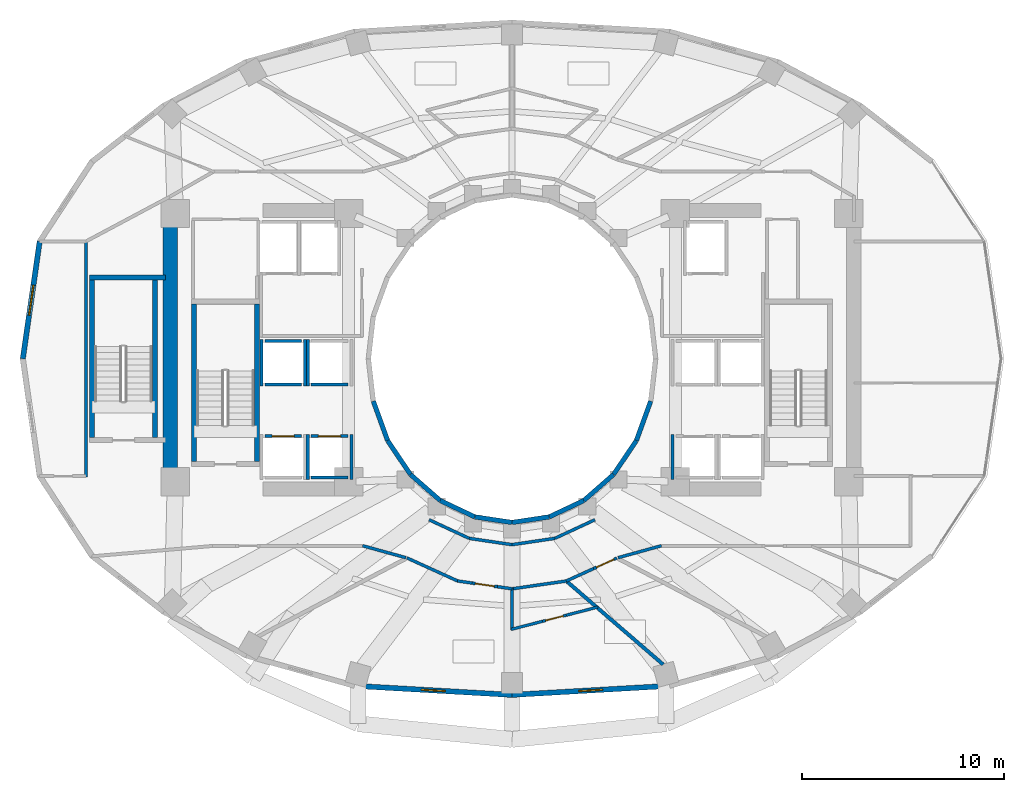
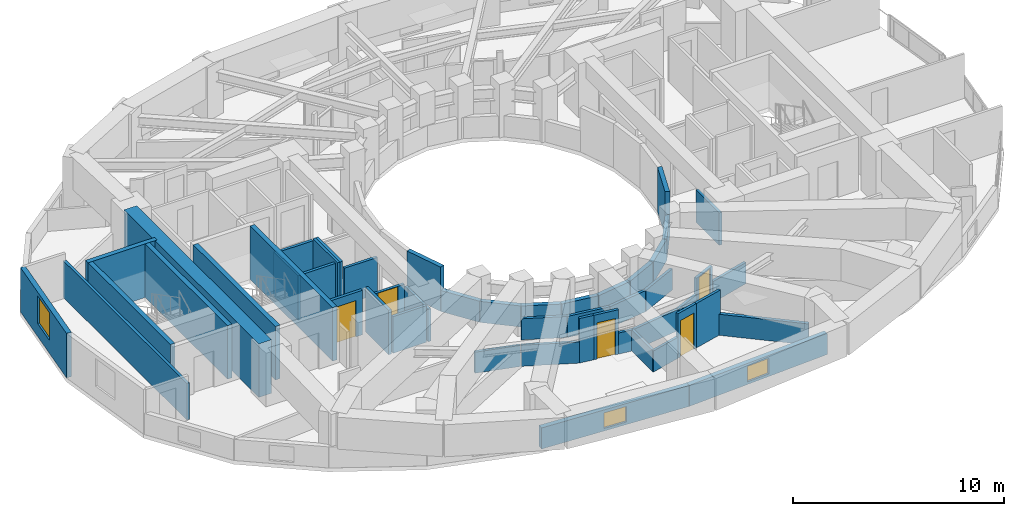
# One storey, part 7 of 14: 50 walls, 5 doors, 3 windows, 8 openings.
"""IFC4 building model written with IfcOpenShell, lengths in metres."""

from ifc_helpers import new_model, si_unit, direction, frame, frame_2d, origin, place, context, subcontext, project, spatial, rectangle, extrude, material, layer, layer_set, type_object, element, fill, save


model = new_model("IFC4")

# Units and contexts
model_context = context("Model", 3, precision=1e-05, world=origin(), true_north=direction((0.0, 1.0)))
body_context = subcontext(model_context, "Body", "Model", "MODEL_VIEW")
ifc_project = project(units=[si_unit("LENGTHUNIT", "METRE"), si_unit("AREAUNIT", "SQUARE_METRE"), si_unit("VOLUMEUNIT", "CUBIC_METRE"), si_unit("PLANEANGLEUNIT", "RADIAN"), si_unit("MASSUNIT", "GRAM", prefix="KILO")], contexts=[model_context])

# Site, building, storey
site_placement = place(None, origin())
site = spatial("IfcSite", under=ifc_project, at=site_placement, CompositionType="ELEMENT")
building_placement = place(site_placement, origin())
building = spatial("IfcBuilding", under=site, at=building_placement, Name="Solvane Sanctuary Tower", CompositionType="ELEMENT")
storey_placement = place(building_placement, frame((0.0, 0.0, 91.800048828125)))
storey = spatial("IfcBuildingStorey", under=building, at=storey_placement, Name="L27", CompositionType="ELEMENT", Elevation=91.800048828125)

# Walls
ifc_material_1 = material(Name="Concrete C60/75", Category="concrete")
ifc_layer_1 = layer(ifc_material_1, 0.699951171875, Name="Concrete C60/75")
ifc_layer_set_1 = layer_set([ifc_layer_1], Name="Concrete C60/75")
wall_type_1 = type_object("IfcWallType", Name="Wall W-CORE-700", PredefinedType="SHEAR", material=ifc_layer_set_1)
wall_1_placement = place(storey_placement, frame((15.050048828125, 17.050048828125, 0.0), z_axis=(0.0, 0.0, 1.0), x_axis=(0.0, 1.0, 0.0)))
element("IfcWall", 1, at=wall_1_placement, inside=storey, type_object=wall_type_1, Name="L27 Core Shear Wall WC-W", PredefinedType="SHEAR", context=body_context, shape_type="SweptSolid", body=[
    extrude(rectangle(XDim=12.800048828125, YDim=0.699951171875, at=frame_2d((6.39990234375, 0.0))), origin(), (0.0, 0.0, 1.0), 3.099853515625),
])
ifc_material_2 = material(Name="Acoustic Gypsum Partition Board")
ifc_layer_2 = layer(ifc_material_2, 0.14990234375, Name="Acoustic Gypsum Partition Board")
ifc_layer_set_2 = layer_set([ifc_layer_2], Name="Acoustic Gypsum Partition Board")
wall_type_2 = type_object("IfcWallType", Name="Wall W-CORR-150", PredefinedType="PARTITIONING", material=ifc_layer_set_2)
wall_2_placement = place(storey_placement, frame((27.889892578125, 15.01513671875, 0.0), z_axis=(0.0, 0.0, 1.0), x_axis=(0.906943449489, -0.421252393975, 0.0)))
element("IfcWall", 2, at=wall_2_placement, inside=storey, type_object=wall_type_2, Name="L27 Light-Well Corridor Rim Wall S1", PredefinedType="PARTITIONING", context=body_context, shape_type="SweptSolid", body=[
    extrude(rectangle(XDim=2.18603515625, YDim=0.14990234375, at=frame_2d((1.093017578125, 0.0))), origin(), (0.0, 0.0, 1.0), 1.219970703125),
])
for number, where, z_axis, x_axis, name in (
    (3, (29.87255859375, 14.09423828125, 0.0), (0.0, 0.0, 1.0), (0.989268584896, -0.146108408166, 0.0), "L27 Light-Well Corridor Rim Wall S2"),
    (4, (32.0, 13.780029296875, 0.0), (0.0, 0.0, 1.0), (0.989268584896, 0.146108408166, 0.0), "L27 Light-Well Corridor Rim Wall S3"),
):
    element("IfcWall", number, at=place(storey_placement, frame(where, z_axis=z_axis, x_axis=x_axis)), inside=storey, type_object=wall_type_2, Name=name, PredefinedType="PARTITIONING", context=body_context, shape_type="SweptSolid", body=[
        extrude(rectangle(XDim=2.150634765625, YDim=0.14990234375, at=frame_2d((1.0751953125, 0.0))), origin(), (0.0, 0.0, 1.0), 1.219970703125),
    ])
wall_3_placement = place(storey_placement, frame((34.12744140625, 14.09423828125, 0.0), z_axis=(0.0, 0.0, 1.0), x_axis=(0.906943449489, 0.421252393975, 0.0)))
element("IfcWall", 5, at=wall_3_placement, inside=storey, type_object=wall_type_2, Name="L27 Light-Well Corridor Rim Wall S4", PredefinedType="PARTITIONING", context=body_context, shape_type="SweptSolid", body=[
    extrude(rectangle(XDim=2.18603515625, YDim=0.14990234375, at=frame_2d((1.093017578125, 0.0))), origin(), (0.0, 0.0, 1.0), 1.219970703125),
])
wall_4_placement = place(storey_placement, frame((10.8798828125, 17.134765625, 0.0), z_axis=(0.0, 0.0, 1.0), x_axis=(0.0, 1.0, 0.0)))
element("IfcWall", 6, at=wall_4_placement, inside=storey, type_object=wall_type_2, Name="L27 West Shoulder Back Wall", PredefinedType="PARTITIONING", context=body_context, shape_type="SweptSolid", body=[
    extrude(rectangle(XDim=11.73046875, YDim=0.14990234375, at=frame_2d((5.865234375, 0.0))), origin(), (0.0, 0.0, 1.0), 2.119873046875),
])
for number, where, z_axis, x_axis, name in (
    (7, (26.741943359375, 13.13330078125, 0.0), (0.0, 0.0, 1.0), (-0.963833843713, 0.266503886865, 0.0), "L27 SW Corner Throat Wall"),
    (8, (37.258056640625, 13.13330078125, 0.0), (0.0, 0.0, 1.0), (0.963833843713, 0.266503886865, 0.0), "L27 SE Corner Throat Wall"),
):
    element("IfcWall", number, at=place(storey_placement, frame(where, z_axis=z_axis, x_axis=x_axis)), inside=storey, type_object=wall_type_2, Name=name, PredefinedType="PARTITIONING", context=body_context, shape_type="SweptSolid", body=[
        extrude(rectangle(XDim=2.231689453125, YDim=0.14990234375, at=frame_2d((1.11572265625, 0.0))), origin(), (0.0, 0.0, 1.0), 1.219970703125),
    ])
wall_5_placement = place(storey_placement, frame((31.950439453125, 11.5830078125, 0.0), z_axis=(0.0, 0.0, 1.0), x_axis=(0.989761784218, 0.142729150844, 0.0)))
element("IfcWall", 9, at=wall_5_placement, inside=storey, type_object=wall_type_2, Name="L27 En-suite Inner Wall S1", PredefinedType="PARTITIONING", context=body_context, shape_type="SweptSolid", body=[
    extrude(rectangle(XDim=2.822265625, YDim=0.14990234375, at=frame_2d((1.4111328125, 0.0))), origin(), (0.0, 0.0, 1.0), 1.219970703125),
])
wall_6_placement = place(storey_placement, frame((26.788818359375, 13.12255859375, 0.0), z_axis=(0.0, 0.0, 1.0), x_axis=(0.910568469686, -0.41335827319, 0.0)))
element("IfcWall", 10, at=wall_6_placement, inside=storey, type_object=wall_type_2, Name="L27 Unit Corridor Wall S1", PredefinedType="PARTITIONING", context=body_context, shape_type="SweptSolid", body=[
    extrude(rectangle(XDim=2.771728515625, YDim=0.14990234375, at=frame_2d((1.3857421875, 0.0))), origin(), (0.0, 0.0, 1.0), 1.219970703125),
])
wall_7_placement = place(storey_placement, frame((29.298583984375, 11.98095703125, 0.0), z_axis=(0.0, 0.0, 1.0), x_axis=(0.98974875873, -0.142819447526, 0.0)))
element("IfcWall", 11, at=wall_7_placement, inside=storey, type_object=wall_type_2, Name="L27 Unit Corridor Wall S1", PredefinedType="PARTITIONING", context=body_context, shape_type="SweptSolid", body=[
    extrude(rectangle(XDim=0.7333984375, YDim=0.14990234375, at=frame_2d((0.36669921875, 0.0))), origin(), (0.0, 0.0, 1.0), 2.574951171875),
])

# Wall, opening, door
wall_8_placement = place(storey_placement, frame((30.0244140625, 11.876220703125, 0.0), z_axis=(0.0, 0.0, 1.0), x_axis=(0.98974859422, -0.142820587591, 0.0)))
wall_8 = element("IfcWall", 12, at=wall_8_placement, inside=storey, type_object=wall_type_2, Name="L27 Unit Corridor Wall S1", PredefinedType="PARTITIONING", context=body_context, shape_type="SweptSolid", body=[
    extrude(rectangle(XDim=1.27001953125, YDim=0.14990234375, at=frame_2d((0.635009765625, 0.0))), origin(), (0.0, 0.0, 1.0), 2.574951171875),
])
opening_1_placement = place(wall_8_placement, frame((0.159912109375, 0.0, 0.0)))
opening_1 = element("IfcOpeningElement", 13, at=opening_1_placement, cuts=wall_8, Name="Opening D-L27-22", PredefinedType="OPENING", context=body_context, shape_type="SweptSolid", body=[
    extrude(rectangle(XDim=0.949951171875, YDim=2.10009765625, at=frame_2d((0.47509765625, 1.050048828125))), frame((0.0, 0.0849609375, 0.0), z_axis=(0.0, -1.0, 0.0), x_axis=(1.0, 0.0, 0.0)), (0.0, 0.0, 1.0), 0.169921875),
])
ifc_material_3 = material(Name="Engineered Tropical Hardwood", Category="wood")
door_type_1 = type_object("IfcDoorType", Name="Door D-ROOM-950", OperationType="NOTDEFINED", PredefinedType="DOOR", material=ifc_material_3)
door_1_placement = place(opening_1_placement, origin())
door_1 = element("IfcDoor", 14, at=door_1_placement, inside=storey, type_object=door_type_1, Name="L27 Unit Entrance Door S1", OperationType="SINGLE_SWING_LEFT", OverallHeight=2.10009765625, OverallWidth=0.949951171875, PredefinedType="DOOR", context=body_context, shape_type="SweptSolid", body=[
    extrude(rectangle(XDim=0.949951171875, YDim=2.10009765625, at=frame_2d((0.47509765625, 1.050048828125))), frame((0.0, 0.02490234375, 0.0), z_axis=(0.0, -1.0, 0.0), x_axis=(1.0, 0.0, 0.0)), (0.0, 0.0, 1.0), 0.050048828125),
])
fill(opening_1, door_1)

# Walls
wall_9_placement = place(storey_placement, frame((31.281494140625, 11.69482421875, 0.0), z_axis=(0.0, 0.0, 1.0), x_axis=(0.98974875873, -0.142819447526, 0.0)))
element("IfcWall", 15, at=wall_9_placement, inside=storey, type_object=wall_type_2, Name="L27 Unit Corridor Wall S1", PredefinedType="PARTITIONING", context=body_context, shape_type="SweptSolid", body=[
    extrude(rectangle(XDim=0.7333984375, YDim=0.14990234375, at=frame_2d((0.36669921875, 0.0))), origin(), (0.0, 0.0, 1.0), 1.219970703125),
])
wall_10_placement = place(storey_placement, frame((34.687255859375, 11.976806640625, 0.0), z_axis=(0.0, 0.0, 1.0), x_axis=(0.910563383081, 0.41336947806, 0.0)))
element("IfcWall", 16, at=wall_10_placement, inside=storey, type_object=wall_type_2, Name="L27 Unit Corridor Wall S2", PredefinedType="PARTITIONING", context=body_context, shape_type="SweptSolid", body=[
    extrude(rectangle(XDim=1.4853515625, YDim=0.14990234375, at=frame_2d((0.74267578125, 0.0))), origin(), (0.0, 0.0, 1.0), 1.219970703125),
])

# Wall, opening, door
wall_11_placement = place(storey_placement, frame((36.039794921875, 12.5908203125, 0.0), z_axis=(0.0, 0.0, 1.0), x_axis=(0.910596749825, 0.413295970472, 0.0)))
wall_11 = element("IfcWall", 17, at=wall_11_placement, inside=storey, type_object=wall_type_2, Name="L27 Unit Corridor Wall S2", PredefinedType="PARTITIONING", context=body_context, shape_type="SweptSolid", body=[
    extrude(rectangle(XDim=1.27001953125, YDim=0.14990234375, at=frame_2d((0.635009765625, 0.0))), origin(), (0.0, 0.0, 1.0), 2.159912109375),
])
opening_2_placement = place(wall_11_placement, frame((0.159912109375, 0.0, 0.0)))
opening_2 = element("IfcOpeningElement", 18, at=opening_2_placement, cuts=wall_11, Name="Opening D-L27-23", PredefinedType="OPENING", context=body_context, shape_type="SweptSolid", body=[
    extrude(rectangle(XDim=0.949951171875, YDim=2.10009765625, at=frame_2d((0.47509765625, 1.050048828125))), frame((0.0, 0.0849609375, 0.0), z_axis=(0.0, -1.0, 0.0), x_axis=(1.0, 0.0, 0.0)), (0.0, 0.0, 1.0), 0.169921875),
])
door_2_placement = place(opening_2_placement, origin())
door_2 = element("IfcDoor", 19, at=door_2_placement, inside=storey, type_object=door_type_1, Name="L27 Unit Entrance Door S2", OperationType="SINGLE_SWING_RIGHT", OverallHeight=2.10009765625, OverallWidth=0.949951171875, PredefinedType="DOOR", context=body_context, shape_type="SweptSolid", body=[
    extrude(rectangle(XDim=0.949951171875, YDim=2.10009765625, at=frame_2d((0.47509765625, 1.050048828125))), frame((0.0, 0.02490234375, 0.0), z_axis=(0.0, -1.0, 0.0), x_axis=(1.0, 0.0, 0.0)), (0.0, 0.0, 1.0), 0.050048828125),
])
fill(opening_2, door_2)

# Wall, opening, window
ifc_material_4 = material(Name="Precast concrete C40/50", Category="concrete")
ifc_layer_3 = layer(ifc_material_4, 0.260009765625, Name="Precast concrete C40/50")
ifc_layer_set_3 = layer_set([ifc_layer_3], Name="Precast concrete C40/50")
wall_type_3 = type_object("IfcWallType", Name="Wall W-EXT-250", PredefinedType="STANDARD", material=ifc_layer_set_3)
wall_12_placement = place(storey_placement, frame((8.578125, 28.818603515625, 0.0), z_axis=(0.0, 0.0, 1.0), x_axis=(-0.142572472068, -0.98978436551, 0.0)))
wall_12 = element("IfcWall", 20, at=wall_12_placement, inside=storey, type_object=wall_type_3, Name="L27 Ceramic-Printed Facade Wall 11", PredefinedType="STANDARD", context=body_context, shape_type="SweptSolid", body=[
    extrude(rectangle(XDim=5.878662109375, YDim=0.260009765625, at=frame_2d((2.939453125, 0.0))), origin(), (0.0, 0.0, 1.0), 2.570068359375),
])
opening_3_placement = place(wall_12_placement, frame((2.189453125, 0.0, 0.75)))
opening_3 = element("IfcOpeningElement", 21, at=opening_3_placement, cuts=wall_12, Name="Opening WN-OPER-1500", PredefinedType="OPENING", context=body_context, shape_type="SweptSolid", body=[
    extrude(rectangle(XDim=1.5, YDim=1.60009765625, at=frame_2d((0.75, 0.800048828125))), frame((0.0, 0.139892578125, 0.0), z_axis=(0.0, -1.0, 0.0), x_axis=(1.0, 0.0, 0.0)), (0.0, 0.0, 1.0), 0.280029296875),
])
ifc_material_5 = material(Name="Dark Ceramic-Fritted Low-E Glass", Category="glass")
window_type_1 = type_object("IfcWindowType", Name="Window WN-OPER-1500", PartitioningType="SINGLE_PANEL", PredefinedType="WINDOW", material=ifc_material_5)
window_1_placement = place(opening_3_placement, origin())
window_1 = element("IfcWindow", 22, at=window_1_placement, inside=storey, type_object=window_type_1, Name="L27 Operable Facade Window 11", OverallHeight=1.60009765625, OverallWidth=1.5, PartitioningType="SINGLE_PANEL", PredefinedType="WINDOW", context=body_context, shape_type="SweptSolid", body=[
    extrude(rectangle(XDim=1.5, YDim=1.60009765625, at=frame_2d((0.75, 0.800048828125))), frame((0.0, 0.030029296875, 0.0), z_axis=(0.0, -1.0, 0.0), x_axis=(1.0, 0.0, 0.0)), (0.0, 0.0, 1.0), 0.06005859375),
])
fill(opening_3, window_1)

wall_13_placement = place(storey_placement, frame((24.18359375, 6.7783203125, 0.0), z_axis=(0.0, 0.0, 1.0), x_axis=(0.998352606703, -0.057376586592, 0.0)))
wall_13 = element("IfcWall", 23, at=wall_13_placement, inside=storey, type_object=wall_type_3, Name="L27 Ceramic-Printed Facade Wall 17", PredefinedType="STANDARD", context=body_context, shape_type="SweptSolid", body=[
    extrude(rectangle(XDim=7.829345703125, YDim=0.260009765625, at=frame_2d((3.91455078125, 0.0))), origin(), (0.0, 0.0, 1.0), 1.219970703125),
])
opening_4_placement = place(wall_13_placement, frame((3.314697265625, 0.0, 0.14990234375)))
opening_4 = element("IfcOpeningElement", 24, at=opening_4_placement, cuts=wall_13, Name="Opening WN-OPER-1200", PredefinedType="OPENING", context=body_context, shape_type="SweptSolid", body=[
    extrude(rectangle(XDim=1.199951171875, YDim=0.89990234375, at=frame_2d((0.60009765625, 0.449951171875))), frame((0.0, 0.139892578125, 0.0), z_axis=(0.0, -1.0, 0.0), x_axis=(1.0, 0.0, 0.0)), (0.0, 0.0, 1.0), 0.280029296875),
])
window_type_2 = type_object("IfcWindowType", Name="Window WN-OPER-1200", PartitioningType="SINGLE_PANEL", PredefinedType="WINDOW", material=ifc_material_5)
window_2_placement = place(opening_4_placement, origin())
window_2 = element("IfcWindow", 25, at=window_2_placement, inside=storey, type_object=window_type_2, Name="L27 Operable Facade Window 17", OverallHeight=0.89990234375, OverallWidth=1.199951171875, PartitioningType="SINGLE_PANEL", PredefinedType="WINDOW", context=body_context, shape_type="SweptSolid", body=[
    extrude(rectangle(XDim=1.199951171875, YDim=0.89990234375, at=frame_2d((0.60009765625, 0.449951171875))), frame((0.0, 0.030029296875, 0.0), z_axis=(0.0, -1.0, 0.0), x_axis=(1.0, 0.0, 0.0)), (0.0, 0.0, 1.0), 0.06005859375),
])
fill(opening_4, window_2)

wall_14_placement = place(storey_placement, frame((32.0, 6.3291015625, 0.0), z_axis=(0.0, 0.0, 1.0), x_axis=(0.998352606703, 0.057376586592, 0.0)))
wall_14 = element("IfcWall", 26, at=wall_14_placement, inside=storey, type_object=wall_type_3, Name="L27 Ceramic-Printed Facade Wall 18", PredefinedType="STANDARD", context=body_context, shape_type="SweptSolid", body=[
    extrude(rectangle(XDim=7.829345703125, YDim=0.260009765625, at=frame_2d((3.91455078125, 0.0))), origin(), (0.0, 0.0, 1.0), 1.219970703125),
])
opening_5_placement = place(wall_14_placement, frame((3.314697265625, 0.0, 0.14990234375)))
opening_5 = element("IfcOpeningElement", 27, at=opening_5_placement, cuts=wall_14, Name="Opening WN-OPER-1200", PredefinedType="OPENING", context=body_context, shape_type="SweptSolid", body=[
    extrude(rectangle(XDim=1.199951171875, YDim=0.89990234375, at=frame_2d((0.60009765625, 0.449951171875))), frame((0.0, 0.139892578125, 0.0), z_axis=(0.0, -1.0, 0.0), x_axis=(1.0, 0.0, 0.0)), (0.0, 0.0, 1.0), 0.280029296875),
])
window_3_placement = place(opening_5_placement, origin())
window_3 = element("IfcWindow", 28, at=window_3_placement, inside=storey, type_object=window_type_2, Name="L27 Operable Facade Window 18", OverallHeight=0.89990234375, OverallWidth=1.199951171875, PartitioningType="SINGLE_PANEL", PredefinedType="WINDOW", context=body_context, shape_type="SweptSolid", body=[
    extrude(rectangle(XDim=1.199951171875, YDim=0.89990234375, at=frame_2d((0.60009765625, 0.449951171875))), frame((0.0, 0.030029296875, 0.0), z_axis=(0.0, -1.0, 0.0), x_axis=(1.0, 0.0, 0.0)), (0.0, 0.0, 1.0), 0.06005859375),
])
fill(opening_5, window_3)

# Walls
ifc_layer_4 = layer(ifc_material_4, 0.22998046875, Name="Precast concrete C40/50")
ifc_layer_set_4 = layer_set([ifc_layer_4], Name="Precast concrete C40/50")
wall_type_4 = type_object("IfcWallType", Name="Wall W-EXT-SP220", PredefinedType="STANDARD", material=ifc_layer_set_4)
wall_15_placement = place(storey_placement, frame((25.12255859375, 20.8984375, 0.0), z_axis=(0.0, 0.0, 1.0), x_axis=(0.341423187295, -0.93990968033, 0.0)))
element("IfcWall", 29, at=wall_15_placement, inside=storey, type_object=wall_type_4, Name="L27 Central Light-Well Wall 13", PredefinedType="STANDARD", context=body_context, shape_type="SweptSolid", body=[
    extrude(rectangle(XDim=2.083740234375, YDim=0.22998046875, at=frame_2d((1.0419921875, 0.0))), origin(), (0.0, 0.0, 1.0), 2.56005859375),
])
wall_16_placement = place(storey_placement, frame((25.833984375, 18.93994140625, 0.0), z_axis=(0.0, 0.0, 1.0), x_axis=(0.558197800898, -0.829707909492, 0.0)))
element("IfcWall", 30, at=wall_16_placement, inside=storey, type_object=wall_type_4, Name="L27 Central Light-Well Wall 14", PredefinedType="STANDARD", context=body_context, shape_type="SweptSolid", body=[
    extrude(rectangle(XDim=2.02685546875, YDim=0.22998046875, at=frame_2d((1.013427734375, 0.0))), origin(), (0.0, 0.0, 1.0), 1.219970703125),
])
wall_17_placement = place(storey_placement, frame((26.96533203125, 17.25830078125, 0.0), z_axis=(0.0, 0.0, 1.0), x_axis=(0.752576694707, -0.658504607869, 0.0)))
element("IfcWall", 31, at=wall_17_placement, inside=storey, type_object=wall_type_4, Name="L27 Central Light-Well Wall 15", PredefinedType="STANDARD", context=body_context, shape_type="SweptSolid", body=[
    extrude(rectangle(XDim=1.95947265625, YDim=0.22998046875, at=frame_2d((0.979736328125, 0.0))), origin(), (0.0, 0.0, 1.0), 1.219970703125),
])
wall_18_placement = place(storey_placement, frame((28.43994140625, 15.968017578125, 0.0), z_axis=(0.0, 0.0, 1.0), x_axis=(0.904179699603, -0.427152280606, 0.0)))
element("IfcWall", 32, at=wall_18_placement, inside=storey, type_object=wall_type_4, Name="L27 Central Light-Well Wall 16", PredefinedType="STANDARD", context=body_context, shape_type="SweptSolid", body=[
    extrude(rectangle(XDim=1.899169921875, YDim=0.22998046875, at=frame_2d((0.94970703125, 0.0))), origin(), (0.0, 0.0, 1.0), 1.219970703125),
])
for number, where, z_axis, x_axis, name in (
    (33, (30.1572265625, 15.15673828125, 0.0), (0.0, 0.0, 1.0), (0.988901730308, -0.148571086668, 0.0), "L27 Central Light-Well Wall 17"),
    (34, (32.0, 14.8798828125, 0.0), (0.0, 0.0, 1.0), (0.988901730308, 0.148571086668, 0.0), "L27 Central Light-Well Wall 18"),
):
    element("IfcWall", number, at=place(storey_placement, frame(where, z_axis=z_axis, x_axis=x_axis)), inside=storey, type_object=wall_type_4, Name=name, PredefinedType="STANDARD", context=body_context, shape_type="SweptSolid", body=[
        extrude(rectangle(XDim=1.863525390625, YDim=0.22998046875, at=frame_2d((0.931640625, 0.0))), origin(), (0.0, 0.0, 1.0), 1.219970703125),
    ])
wall_19_placement = place(storey_placement, frame((33.8427734375, 15.15673828125, 0.0), z_axis=(0.0, 0.0, 1.0), x_axis=(0.904179699603, 0.427152280606, 0.0)))
element("IfcWall", 35, at=wall_19_placement, inside=storey, type_object=wall_type_4, Name="L27 Central Light-Well Wall 19", PredefinedType="STANDARD", context=body_context, shape_type="SweptSolid", body=[
    extrude(rectangle(XDim=1.899169921875, YDim=0.22998046875, at=frame_2d((0.94970703125, 0.0))), origin(), (0.0, 0.0, 1.0), 1.219970703125),
])
wall_20_placement = place(storey_placement, frame((35.56005859375, 15.968017578125, 0.0), z_axis=(0.0, 0.0, 1.0), x_axis=(0.752576694707, 0.658504607869, 0.0)))
element("IfcWall", 36, at=wall_20_placement, inside=storey, type_object=wall_type_4, Name="L27 Central Light-Well Wall 20", PredefinedType="STANDARD", context=body_context, shape_type="SweptSolid", body=[
    extrude(rectangle(XDim=1.95947265625, YDim=0.22998046875, at=frame_2d((0.979736328125, 0.0))), origin(), (0.0, 0.0, 1.0), 1.219970703125),
])
wall_21_placement = place(storey_placement, frame((37.03466796875, 17.25830078125, 0.0), z_axis=(0.0, 0.0, 1.0), x_axis=(0.558197800898, 0.829707909492, 0.0)))
element("IfcWall", 37, at=wall_21_placement, inside=storey, type_object=wall_type_4, Name="L27 Central Light-Well Wall 21", PredefinedType="STANDARD", context=body_context, shape_type="SweptSolid", body=[
    extrude(rectangle(XDim=2.02685546875, YDim=0.22998046875, at=frame_2d((1.013427734375, 0.0))), origin(), (0.0, 0.0, 1.0), 1.219970703125),
])
wall_22_placement = place(storey_placement, frame((38.166015625, 18.93994140625, 0.0), z_axis=(0.0, 0.0, 1.0), x_axis=(0.341423187295, 0.93990968033, 0.0)))
element("IfcWall", 38, at=wall_22_placement, inside=storey, type_object=wall_type_4, Name="L27 Central Light-Well Wall 22", PredefinedType="STANDARD", context=body_context, shape_type="SweptSolid", body=[
    extrude(rectangle(XDim=2.083740234375, YDim=0.22998046875, at=frame_2d((1.0419921875, 0.0))), origin(), (0.0, 0.0, 1.0), 2.56005859375),
])

# Wall, opening, door
ifc_material_6 = material(Name="Concrete C50/60", Category="concrete")
ifc_layer_5 = layer(ifc_material_6, 0.14990234375, Name="Concrete C50/60")
ifc_layer_set_5 = layer_set([ifc_layer_5], Name="Concrete C50/60")
wall_type_5 = type_object("IfcWallType", Name="Wall W-SHAFT-150", PredefinedType="SOLIDWALL", material=ifc_layer_set_5)
wall_23_placement = place(storey_placement, frame((19.739990234375, 19.159912109375, 0.0), z_axis=(0.0, 0.0, 1.0), x_axis=(1.0, 0.0, 0.0)))
wall_23 = element("IfcWall", 39, at=wall_23_placement, inside=storey, type_object=wall_type_5, Name="L27 PL-1 Lift Shaft Wall F", PredefinedType="SOLIDWALL", context=body_context, shape_type="SweptSolid", body=[
    extrude(rectangle(XDim=1.820068359375, YDim=0.14990234375, at=frame_2d((0.91015625, 0.0))), origin(), (0.0, 0.0, 1.0), 2.574951171875),
])
opening_6_placement = place(wall_23_placement, frame((0.360107421875, 0.0, 0.0)))
opening_6 = element("IfcOpeningElement", 40, at=opening_6_placement, cuts=wall_23, Name="Opening LD-L27-01", PredefinedType="OPENING", context=body_context, shape_type="SweptSolid", body=[
    extrude(rectangle(XDim=1.10009765625, YDim=2.10009765625, at=frame_2d((0.550048828125, 1.050048828125))), frame((0.0, 0.0849609375, 0.0), z_axis=(0.0, -1.0, 0.0), x_axis=(1.0, 0.0, 0.0)), (0.0, 0.0, 1.0), 0.169921875),
])
ifc_material_7 = material(Name="Architectural Stainless Steel 316", Category="steel")
door_type_2 = type_object("IfcDoorType", Name="Door LD-PASS-1100", OperationType="NOTDEFINED", PredefinedType="DOOR", material=ifc_material_7)
door_3_placement = place(opening_6_placement, origin())
door_3 = element("IfcDoor", 41, at=door_3_placement, inside=storey, type_object=door_type_2, Name="L27 PL-1 Lift Landing Door", OperationType="DOUBLE_DOOR_SLIDING", OverallHeight=2.10009765625, OverallWidth=1.10009765625, PredefinedType="DOOR", context=body_context, shape_type="SweptSolid", body=[
    extrude(rectangle(XDim=1.10009765625, YDim=2.10009765625, at=frame_2d((0.550048828125, 1.050048828125))), frame((0.0, 0.02490234375, 0.0), z_axis=(0.0, -1.0, 0.0), x_axis=(1.0, 0.0, 0.0)), (0.0, 0.0, 1.0), 0.050048828125),
])
fill(opening_6, door_3)

wall_24_placement = place(storey_placement, frame((22.0400390625, 19.159912109375, 0.0), z_axis=(0.0, 0.0, 1.0), x_axis=(1.0, 0.0, 0.0)))
wall_24 = element("IfcWall", 42, at=wall_24_placement, inside=storey, type_object=wall_type_5, Name="L27 PL-2 Lift Shaft Wall F", PredefinedType="SOLIDWALL", context=body_context, shape_type="SweptSolid", body=[
    extrude(rectangle(XDim=1.820068359375, YDim=0.14990234375, at=frame_2d((0.91015625, 0.0))), origin(), (0.0, 0.0, 1.0), 2.119873046875),
])
opening_7_placement = place(wall_24_placement, frame((0.360107421875, 0.0, 0.0)))
opening_7 = element("IfcOpeningElement", 43, at=opening_7_placement, cuts=wall_24, Name="Opening LD-L27-02", PredefinedType="OPENING", context=body_context, shape_type="SweptSolid", body=[
    extrude(rectangle(XDim=1.10009765625, YDim=2.10009765625, at=frame_2d((0.550048828125, 1.050048828125))), frame((0.0, 0.0849609375, 0.0), z_axis=(0.0, -1.0, 0.0), x_axis=(1.0, 0.0, 0.0)), (0.0, 0.0, 1.0), 0.169921875),
])
door_4_placement = place(opening_7_placement, origin())
door_4 = element("IfcDoor", 44, at=door_4_placement, inside=storey, type_object=door_type_2, Name="L27 PL-2 Lift Landing Door", OperationType="DOUBLE_DOOR_SLIDING", OverallHeight=2.10009765625, OverallWidth=1.10009765625, PredefinedType="DOOR", context=body_context, shape_type="SweptSolid", body=[
    extrude(rectangle(XDim=1.10009765625, YDim=2.10009765625, at=frame_2d((0.550048828125, 1.050048828125))), frame((0.0, 0.02490234375, 0.0), z_axis=(0.0, -1.0, 0.0), x_axis=(1.0, 0.0, 0.0)), (0.0, 0.0, 1.0), 0.050048828125),
])
fill(opening_7, door_4)

# Walls
wall_25_placement = place(storey_placement, frame((22.0400390625, 17.10009765625, 0.0), z_axis=(0.0, 0.0, 1.0), x_axis=(1.0, 0.0, 0.0)))
element("IfcWall", 45, at=wall_25_placement, inside=storey, type_object=wall_type_5, Name="L27 PL-2 Lift Shaft Wall B", PredefinedType="SOLIDWALL", context=body_context, shape_type="SweptSolid", body=[
    extrude(rectangle(XDim=1.820068359375, YDim=0.14990234375, at=frame_2d((0.91015625, 0.0))), origin(), (0.0, 0.0, 1.0), 2.119873046875),
])
wall_26_placement = place(storey_placement, frame((21.8701171875, 17.02001953125, 0.0), z_axis=(0.0, 0.0, 1.0), x_axis=(0.0, 1.0, 0.0)))
element("IfcWall", 46, at=wall_26_placement, inside=storey, type_object=wall_type_5, Name="L27 PL-2 Lift Shaft Wall S1", PredefinedType="SOLIDWALL", context=body_context, shape_type="SweptSolid", body=[
    extrude(rectangle(XDim=2.219970703125, YDim=0.14990234375, at=frame_2d((1.10986328125, 0.0))), origin(), (0.0, 0.0, 1.0), 2.574951171875),
])
for number, where, z_axis, x_axis, name in (
    (47, (24.030029296875, 17.02001953125, 0.0), (0.0, 0.0, 1.0), (0.0, 1.0, 0.0), "L27 PL-2 Lift Shaft Wall S2"),
    (48, (39.969970703125, 17.02001953125, 0.0), (0.0, 0.0, 1.0), (0.0, 1.0, 0.0), "L27 PL-3 Lift Shaft Wall S1"),
):
    element("IfcWall", number, at=place(storey_placement, frame(where, z_axis=z_axis, x_axis=x_axis)), inside=storey, type_object=wall_type_5, Name=name, PredefinedType="SOLIDWALL", context=body_context, shape_type="SweptSolid", body=[
        extrude(rectangle(XDim=2.219970703125, YDim=0.14990234375, at=frame_2d((1.10986328125, 0.0))), origin(), (0.0, 0.0, 1.0), 1.873046875),
    ])
for number, where, z_axis, x_axis, name in (
    (49, (19.739990234375, 21.719970703125, 0.0), (0.0, 0.0, 1.0), (1.0, 0.0, 0.0), "L27 PM-1 Lift Shaft Wall F"),
    (50, (19.739990234375, 23.8798828125, 0.0), (0.0, 0.0, 1.0), (1.0, 0.0, 0.0), "L27 PM-1 Lift Shaft Wall B"),
):
    element("IfcWall", number, at=place(storey_placement, frame(where, z_axis=z_axis, x_axis=x_axis)), inside=storey, type_object=wall_type_5, Name=name, PredefinedType="SOLIDWALL", context=body_context, shape_type="SweptSolid", body=[
        extrude(rectangle(XDim=1.820068359375, YDim=0.14990234375, at=frame_2d((0.91015625, 0.0))), origin(), (0.0, 0.0, 1.0), 2.574951171875),
    ])
for number, where, z_axis, x_axis, name in (
    (51, (19.570068359375, 21.639892578125, 0.0), (0.0, 0.0, 1.0), (0.0, 1.0, 0.0), "L27 PM-1 Lift Shaft Wall S1"),
    (52, (21.72998046875, 21.639892578125, 0.0), (0.0, 0.0, 1.0), (0.0, 1.0, 0.0), "L27 PM-1 Lift Shaft Wall S2"),
):
    element("IfcWall", number, at=place(storey_placement, frame(where, z_axis=z_axis, x_axis=x_axis)), inside=storey, type_object=wall_type_5, Name=name, PredefinedType="SOLIDWALL", context=body_context, shape_type="SweptSolid", body=[
        extrude(rectangle(XDim=2.320068359375, YDim=0.14990234375, at=frame_2d((1.16015625, 0.0))), origin(), (0.0, 0.0, 1.0), 2.574951171875),
    ])
wall_27_placement = place(storey_placement, frame((22.0400390625, 21.719970703125, 0.0), z_axis=(0.0, 0.0, 1.0), x_axis=(1.0, 0.0, 0.0)))
element("IfcWall", 53, at=wall_27_placement, inside=storey, type_object=wall_type_5, Name="L27 PH-1 Lift Shaft Wall F", PredefinedType="SOLIDWALL", context=body_context, shape_type="SweptSolid", body=[
    extrude(rectangle(XDim=1.820068359375, YDim=0.14990234375, at=frame_2d((0.91015625, 0.0))), origin(), (0.0, 0.0, 1.0), 2.119873046875),
])
wall_28_placement = place(storey_placement, frame((21.8701171875, 21.639892578125, 0.0), z_axis=(0.0, 0.0, 1.0), x_axis=(0.0, 1.0, 0.0)))
element("IfcWall", 54, at=wall_28_placement, inside=storey, type_object=wall_type_5, Name="L27 PH-1 Lift Shaft Wall S1", PredefinedType="SOLIDWALL", context=body_context, shape_type="SweptSolid", body=[
    extrude(rectangle(XDim=2.320068359375, YDim=0.14990234375, at=frame_2d((1.16015625, 0.0))), origin(), (0.0, 0.0, 1.0), 2.574951171875),
])
ifc_layer_6 = layer(ifc_material_6, 0.25, Name="Concrete C50/60")
ifc_layer_set_6 = layer_set([ifc_layer_6], Name="Concrete C50/60")
wall_type_6 = type_object("IfcWallType", Name="Wall W-SHAFT-250", PredefinedType="SOLIDWALL", material=ifc_layer_set_6)
for number, where, z_axis, x_axis, name in (
    (55, (16.22998046875, 17.89501953125, 0.0), (0.0, 0.0, 1.0), (0.0, 1.0, 0.0), "L27 ST-1 Load-Bearing Shaft Wall W"),
    (56, (19.35009765625, 17.89501953125, 0.0), (0.0, 0.0, 1.0), (0.0, 1.0, 0.0), "L27 ST-1 Load-Bearing Shaft Wall E"),
):
    element("IfcWall", number, at=place(storey_placement, frame(where, z_axis=z_axis, x_axis=x_axis)), inside=storey, type_object=wall_type_6, Name=name, PredefinedType="SOLIDWALL", context=body_context, shape_type="SweptSolid", body=[
        extrude(rectangle(XDim=7.81005859375, YDim=0.25, at=frame_2d((3.905029296875, 0.0))), origin(), (0.0, 0.0, 1.0), 3.099853515625),
    ])
wall_29_placement = place(storey_placement, frame((11.044921875, 27.030029296875, 0.0), z_axis=(0.0, 0.0, 1.0), x_axis=(1.0, 0.0, 0.0)))
element("IfcWall", 57, at=wall_29_placement, inside=storey, type_object=wall_type_6, Name="L27 ST-3 Load-Bearing Shaft Wall N", PredefinedType="SOLIDWALL", context=body_context, shape_type="SweptSolid", body=[
    extrude(rectangle(XDim=3.781982421875, YDim=0.25, at=frame_2d((1.89111328125, 0.0))), origin(), (0.0, 0.0, 1.0), 3.099853515625),
])
for number, where, z_axis, x_axis, name in (
    (58, (11.169921875, 19.094970703125, 0.0), (0.0, 0.0, 1.0), (0.0, 1.0, 0.0), "L27 ST-3 Load-Bearing Shaft Wall W"),
    (59, (14.2900390625, 19.094970703125, 0.0), (0.0, 0.0, 1.0), (0.0, 1.0, 0.0), "L27 ST-3 Load-Bearing Shaft Wall E"),
):
    element("IfcWall", number, at=place(storey_placement, frame(where, z_axis=z_axis, x_axis=x_axis)), inside=storey, type_object=wall_type_6, Name=name, PredefinedType="SOLIDWALL", context=body_context, shape_type="SweptSolid", body=[
        extrude(rectangle(XDim=7.81005859375, YDim=0.25, at=frame_2d((3.905029296875, 0.0))), origin(), (0.0, 0.0, 1.0), 3.099853515625),
    ])
ifc_layer_7 = layer(ifc_material_2, 0.179931640625, Name="Acoustic Gypsum Partition Board")
ifc_layer_set_7 = layer_set([ifc_layer_7], Name="Acoustic Gypsum Partition Board")
wall_type_7 = type_object("IfcWallType", Name="Wall W-UNIT-180", PredefinedType="PARTITIONING", material=ifc_layer_set_7)
wall_30_placement = place(storey_placement, frame((34.736083984375, 11.94287109375, 0.0), z_axis=(0.0, 0.0, 1.0), x_axis=(0.757299396002, -0.65306785621, 0.0)))
element("IfcWall", 60, at=wall_30_placement, inside=storey, type_object=wall_type_7, Name="L27 Radial Compartment Wall 285", PredefinedType="PARTITIONING", context=body_context, shape_type="SweptSolid", body=[
    extrude(rectangle(XDim=6.2890625, YDim=0.179931640625, at=frame_2d((3.14453125, 0.0))), origin(), (0.0, 0.0, 1.0), 1.219970703125),
])
ifc_layer_8 = layer(ifc_material_2, 0.139892578125, Name="Acoustic Gypsum Partition Board")
ifc_layer_set_8 = layer_set([ifc_layer_8], Name="Acoustic Gypsum Partition Board")
wall_type_8 = type_object("IfcWallType", Name="Wall W-WET-140", PredefinedType="PLUMBINGWALL", material=ifc_layer_set_8)
wall_31_placement = place(storey_placement, frame((32.0, 11.639892578125, 0.0), z_axis=(0.0, 0.0, 1.0), x_axis=(0.0, -1.0, 0.0)))
element("IfcWall", 61, at=wall_31_placement, inside=storey, type_object=wall_type_8, Name="L27 En-suite Side Partition S1", PredefinedType="PLUMBINGWALL", context=body_context, shape_type="SweptSolid", body=[
    extrude(rectangle(XDim=2.099853515625, YDim=0.139892578125, at=frame_2d((1.0498046875, 0.0))), origin(), (0.0, 0.0, 1.0), 1.219970703125),
])
wall_32_placement = place(storey_placement, frame((31.95166015625, 9.577392578125, 0.0), z_axis=(0.0, 0.0, 1.0), x_axis=(0.968427184166, 0.249296588359, 0.0)))
element("IfcWall", 62, at=wall_32_placement, inside=storey, type_object=wall_type_8, Name="L27 En-suite Bedroom Wall S1", PredefinedType="PLUMBINGWALL", context=body_context, shape_type="SweptSolid", body=[
    extrude(rectangle(XDim=1.613037109375, YDim=0.139892578125, at=frame_2d((0.806640625, 0.0))), origin(), (0.0, 0.0, 1.0), 1.219970703125),
])

# Wall, opening, door
wall_33_placement = place(storey_placement, frame((33.513671875, 9.9794921875, 0.0), z_axis=(0.0, 0.0, 1.0), x_axis=(0.968520506564, 0.248933783092, 0.0)))
wall_33 = element("IfcWall", 63, at=wall_33_placement, inside=storey, type_object=wall_type_8, Name="L27 En-suite Bedroom Wall S1", PredefinedType="PLUMBINGWALL", context=body_context, shape_type="SweptSolid", body=[
    extrude(rectangle(XDim=1.219970703125, YDim=0.139892578125, at=frame_2d((0.60986328125, 0.0))), origin(), (0.0, 0.0, 1.0), 2.574951171875),
])
opening_8_placement = place(wall_33_placement, frame((0.159912109375, 0.0, 0.0)))
opening_8 = element("IfcOpeningElement", 64, at=opening_8_placement, cuts=wall_33, Name="Opening D-L27-21", PredefinedType="OPENING", context=body_context, shape_type="SweptSolid", body=[
    extrude(rectangle(XDim=0.89990234375, YDim=2.10009765625, at=frame_2d((0.449951171875, 1.050048828125))), frame((0.0, 0.079833984375, 0.0), z_axis=(0.0, -1.0, 0.0), x_axis=(1.0, 0.0, 0.0)), (0.0, 0.0, 1.0), 0.159912109375),
])
door_type_3 = type_object("IfcDoorType", Name="Door D-WET-900", OperationType="NOTDEFINED", PredefinedType="DOOR", material=ifc_material_3)
door_5_placement = place(opening_8_placement, origin())
door_5 = element("IfcDoor", 65, at=door_5_placement, inside=storey, type_object=door_type_3, Name="L27 En-suite Bathroom Door S1", OperationType="SINGLE_SWING_RIGHT", OverallHeight=2.10009765625, OverallWidth=0.89990234375, PredefinedType="DOOR", context=body_context, shape_type="SweptSolid", body=[
    extrude(rectangle(XDim=0.89990234375, YDim=2.10009765625, at=frame_2d((0.449951171875, 1.050048828125))), frame((0.0, 0.02490234375, 0.0), z_axis=(0.0, -1.0, 0.0), x_axis=(1.0, 0.0, 0.0)), (0.0, 0.0, 1.0), 0.050048828125),
])
fill(opening_8, door_5)

# Wall
wall_34_placement = place(storey_placement, frame((34.6953125, 10.283203125, 0.0), z_axis=(0.0, 0.0, 1.0), x_axis=(0.968427184166, 0.249296588359, 0.0)))
element("IfcWall", 66, at=wall_34_placement, inside=storey, type_object=wall_type_8, Name="L27 En-suite Bedroom Wall S1", PredefinedType="PLUMBINGWALL", context=body_context, shape_type="SweptSolid", body=[
    extrude(rectangle(XDim=1.613037109375, YDim=0.139892578125, at=frame_2d((0.806640625, 0.0))), origin(), (0.0, 0.0, 1.0), 2.574951171875),
])

save(model, "model.ifc")
